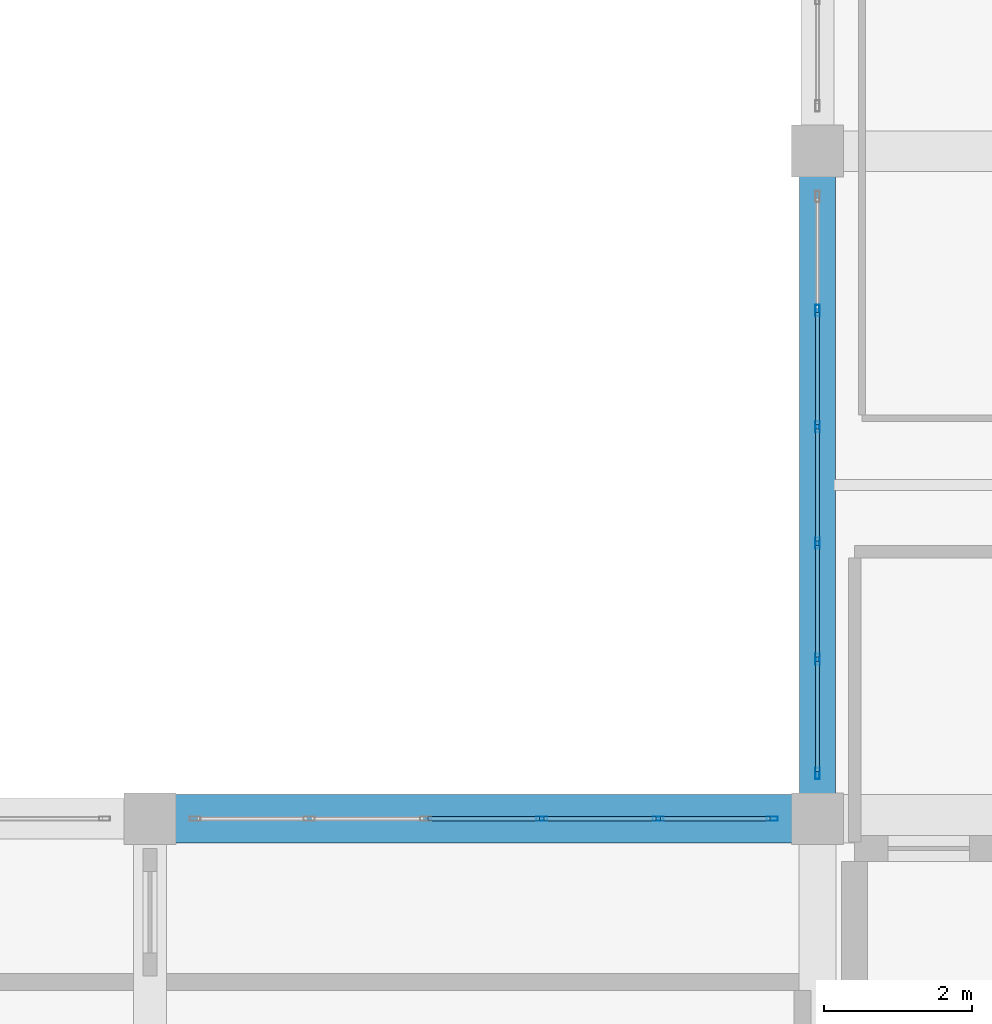
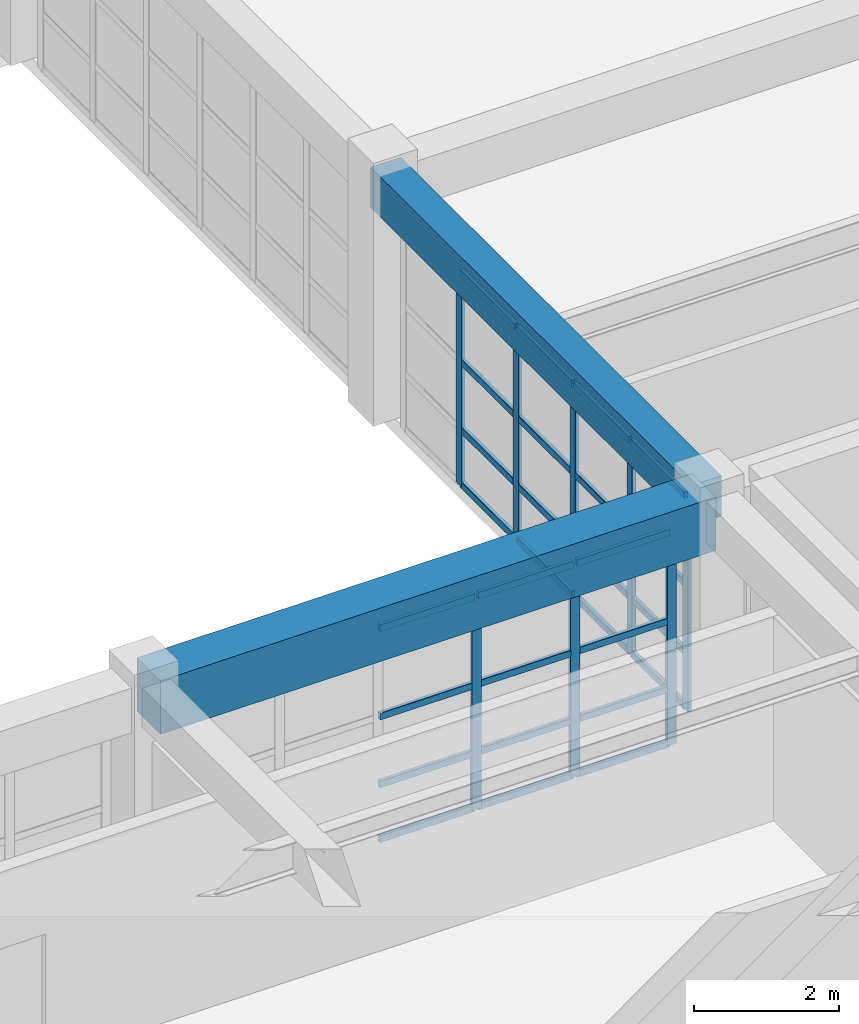
# One storey, part 32 of 133: 36 members, 2 beams, 2 elements without a shape of their own.
"""IFC4 building model written with IfcOpenShell, lengths in metres."""

from ifc_helpers import new_model, si_unit, direction, frame, origin, origin_2d, place, context, subcontext, project, spatial, rectangle, hollow_rectangle, extrude, material, material_profile, profile_set, type_object, element, aggregate, save


model = new_model("IFC4")

# Units and contexts
model_context = context("Model", 3, precision=1e-05, world=origin(), true_north=direction((0.0, 1.0)))
body_context = subcontext(model_context, "Body", "Model", "MODEL_VIEW")
ifc_project = project(units=[si_unit("LENGTHUNIT", "METRE"), si_unit("AREAUNIT", "SQUARE_METRE"), si_unit("VOLUMEUNIT", "CUBIC_METRE"), si_unit("PLANEANGLEUNIT", "RADIAN"), si_unit("MASSUNIT", "GRAM", prefix="KILO")], contexts=[model_context])

# Site, building, storey
site_placement = place(None, origin())
site = spatial("IfcSite", under=ifc_project, at=site_placement, CompositionType="ELEMENT")
building_placement = place(site_placement, origin())
building = spatial("IfcBuilding", under=site, at=building_placement, Name="Miravela Opera House", CompositionType="ELEMENT")
storey_placement = place(building_placement, frame((0.0, 0.0, 5.10009765625)))
storey = spatial("IfcBuildingStorey", under=building, at=storey_placement, Name="L01", CompositionType="ELEMENT", Elevation=5.10009765625)

# Curtain wall, members
ifc_material_1 = material(Name="Anodised architectural bronze aluminium 6063-T6", Category="aluminium")
curtain_wall_type = type_object("IfcCurtainWallType", Name="ARC-CW-06", PredefinedType="NOTDEFINED", material=ifc_material_1)
curtain_wall_1_placement = place(storey_placement, origin())
curtain_wall_1 = element("IfcCurtainWall", 1, at=curtain_wall_1_placement, inside=storey, type_object=curtain_wall_type, Name="Courtyard Arcade Curtain Wall CW-L01-131", PredefinedType="NOTDEFINED")
ifc_material_profile_1 = material_profile(ifc_material_1, hollow_rectangle(XDim=0.06005859375, YDim=0.14990234375, WallThickness=0.00390625, InnerFilletRadius=0.001953125, OuterFilletRadius=0.00390625, at=origin_2d()), Name="CWM-60X150")
ifc_profile_set_1 = profile_set([ifc_material_profile_1])
member_type_1 = type_object("IfcMemberType", Name="ARC-CWM-150", PredefinedType="MULLION", material=ifc_profile_set_1)
member_1_placement = place(storey_placement, frame((59.283935546875, 9.0, 0.0), z_axis=(0.0, 0.0, 1.0), x_axis=(0.0, 1.0, 0.0)))
member_1 = element("IfcMember", 2, at=member_1_placement, type_object=member_type_1, Name="CW-06 mullion 4", PredefinedType="MULLION", context=body_context, shape_type="SweptSolid", body=[
    extrude(hollow_rectangle(XDim=0.06005859375, YDim=0.14990234375, WallThickness=0.00390625, InnerFilletRadius=0.001953125, OuterFilletRadius=0.00390625, at=origin_2d()), origin(), (0.0, 0.0, 1.0), 3.60986328125),
])
member_2_placement = place(storey_placement, frame((60.85205078125, 9.0, 0.0), z_axis=(0.0, 0.0, 1.0), x_axis=(0.0, 1.0, 0.0)))
member_2 = element("IfcMember", 3, at=member_2_placement, type_object=member_type_1, Name="CW-06 mullion 5", PredefinedType="MULLION", context=body_context, shape_type="SweptSolid", body=[
    extrude(hollow_rectangle(XDim=0.06005859375, YDim=0.14990234375, WallThickness=0.00390625, InnerFilletRadius=0.001953125, OuterFilletRadius=0.00390625, at=origin_2d()), origin(), (0.0, 0.0, 1.0), 3.60986328125),
])
member_3_placement = place(storey_placement, frame((62.389892578125, 9.0, 0.0), z_axis=(0.0, 0.0, 1.0), x_axis=(0.0, 1.0, 0.0)))
member_3 = element("IfcMember", 4, at=member_3_placement, type_object=member_type_1, Name="CW-06 mullion 6", PredefinedType="MULLION", context=body_context, shape_type="SweptSolid", body=[
    extrude(hollow_rectangle(XDim=0.06005859375, YDim=0.14990234375, WallThickness=0.00390625, InnerFilletRadius=0.001953125, OuterFilletRadius=0.00390625, at=origin_2d()), origin(), (0.0, 0.0, 1.0), 3.60986328125),
])

curtain_wall_2_placement = place(storey_placement, origin())
curtain_wall_2 = element("IfcCurtainWall", 5, at=curtain_wall_2_placement, inside=storey, type_object=curtain_wall_type, Name="Courtyard Arcade Curtain Wall CW-L01-134", PredefinedType="NOTDEFINED")
member_4_placement = place(storey_placement, frame((63.0, 9.610107421875, 0.0), z_axis=(0.0, 0.0, 1.0), x_axis=(-1.0, 0.0, 0.0)))
member_4 = element("IfcMember", 6, at=member_4_placement, type_object=member_type_1, Name="CW-06 mullion 1", PredefinedType="MULLION", context=body_context, shape_type="SweptSolid", body=[
    extrude(hollow_rectangle(XDim=0.06005859375, YDim=0.14990234375, WallThickness=0.00390625, InnerFilletRadius=0.001953125, OuterFilletRadius=0.00390625, at=origin_2d()), origin(), (0.0, 0.0, 1.0), 3.60986328125),
])
member_5_placement = place(storey_placement, frame((63.0, 11.14794921875, 0.0), z_axis=(0.0, 0.0, 1.0), x_axis=(-1.0, 0.0, 0.0)))
member_5 = element("IfcMember", 7, at=member_5_placement, type_object=member_type_1, Name="CW-06 mullion 2", PredefinedType="MULLION", context=body_context, shape_type="SweptSolid", body=[
    extrude(hollow_rectangle(XDim=0.06005859375, YDim=0.14990234375, WallThickness=0.00390625, InnerFilletRadius=0.001953125, OuterFilletRadius=0.00390625, at=origin_2d()), origin(), (0.0, 0.0, 1.0), 3.60986328125),
])
member_6_placement = place(storey_placement, frame((63.0, 12.716064453125, 0.0), z_axis=(0.0, 0.0, 1.0), x_axis=(-1.0, 0.0, 0.0)))
member_6 = element("IfcMember", 8, at=member_6_placement, type_object=member_type_1, Name="CW-06 mullion 3", PredefinedType="MULLION", context=body_context, shape_type="SweptSolid", body=[
    extrude(hollow_rectangle(XDim=0.06005859375, YDim=0.14990234375, WallThickness=0.00390625, InnerFilletRadius=0.001953125, OuterFilletRadius=0.00390625, at=origin_2d()), origin(), (0.0, 0.0, 1.0), 3.60986328125),
])
member_7_placement = place(storey_placement, frame((63.0, 14.283935546875, 0.0), z_axis=(0.0, 0.0, 1.0), x_axis=(-1.0, 0.0, 0.0)))
member_7 = element("IfcMember", 9, at=member_7_placement, type_object=member_type_1, Name="CW-06 mullion 4", PredefinedType="MULLION", context=body_context, shape_type="SweptSolid", body=[
    extrude(hollow_rectangle(XDim=0.06005859375, YDim=0.14990234375, WallThickness=0.00390625, InnerFilletRadius=0.001953125, OuterFilletRadius=0.00390625, at=origin_2d()), origin(), (0.0, 0.0, 1.0), 3.60986328125),
])
member_8_placement = place(storey_placement, frame((63.0, 15.85205078125, 0.0), z_axis=(0.0, 0.0, 1.0), x_axis=(-1.0, 0.0, 0.0)))
member_8 = element("IfcMember", 10, at=member_8_placement, type_object=member_type_1, Name="CW-06 mullion 5", PredefinedType="MULLION", context=body_context, shape_type="SweptSolid", body=[
    extrude(hollow_rectangle(XDim=0.06005859375, YDim=0.14990234375, WallThickness=0.00390625, InnerFilletRadius=0.001953125, OuterFilletRadius=0.00390625, at=origin_2d()), origin(), (0.0, 0.0, 1.0), 3.60986328125),
])

# Member
ifc_material_profile_2 = material_profile(ifc_material_1, hollow_rectangle(XDim=0.06005859375, YDim=0.114990234375, WallThickness=0.00390625, InnerFilletRadius=0.001953125, OuterFilletRadius=0.00390625, at=origin_2d()), Name="CWT-60X115")
ifc_profile_set_2 = profile_set([ifc_material_profile_2])
member_type_2 = type_object("IfcMemberType", Name="ARC-CWT-115", PredefinedType="USERDEFINED", material=ifc_profile_set_2)
member_9_placement = place(storey_placement, frame((57.74609375, 9.0, 0.02978515625), z_axis=(1.0, 0.0, 0.0), x_axis=(0.0, 1.0, 0.0)))
member_9 = element("IfcMember", 11, at=member_9_placement, type_object=member_type_2, Name="CW-06 transom 3.1", ObjectType="TRANSOM", PredefinedType="USERDEFINED", context=body_context, shape_type="SweptSolid", body=[
    extrude(hollow_rectangle(XDim=0.06005859375, YDim=0.114990234375, WallThickness=0.00390625, InnerFilletRadius=0.001953125, OuterFilletRadius=0.00390625, at=origin_2d()), origin(), (0.0, 0.0, 1.0), 1.5078125),
])

member_10_placement = place(storey_placement, frame((57.74609375, 9.0, 0.949951171875), z_axis=(1.0, 0.0, 0.0), x_axis=(0.0, 1.0, 0.0)))
member_10 = element("IfcMember", 12, at=member_10_placement, type_object=member_type_2, Name="CW-06 transom 3.2", ObjectType="TRANSOM", PredefinedType="USERDEFINED", context=body_context, shape_type="SweptSolid", body=[
    extrude(hollow_rectangle(XDim=0.06005859375, YDim=0.114990234375, WallThickness=0.00390625, InnerFilletRadius=0.001953125, OuterFilletRadius=0.00390625, at=origin_2d()), origin(), (0.0, 0.0, 1.0), 1.5078125),
])

member_11_placement = place(storey_placement, frame((57.74609375, 9.0, 2.09375), z_axis=(1.0, 0.0, 0.0), x_axis=(0.0, 1.0, 0.0)))
member_11 = element("IfcMember", 13, at=member_11_placement, type_object=member_type_2, Name="CW-06 transom 3.3", ObjectType="TRANSOM", PredefinedType="USERDEFINED", context=body_context, shape_type="SweptSolid", body=[
    extrude(hollow_rectangle(XDim=0.06005859375, YDim=0.114990234375, WallThickness=0.00390625, InnerFilletRadius=0.001953125, OuterFilletRadius=0.00390625, at=origin_2d()), origin(), (0.0, 0.0, 1.0), 1.5078125),
])

member_12_placement = place(storey_placement, frame((57.74609375, 9.0, 3.579833984375), z_axis=(1.0, 0.0, 0.0), x_axis=(0.0, 1.0, 0.0)))
member_12 = element("IfcMember", 14, at=member_12_placement, type_object=member_type_2, Name="CW-06 transom 3.4", ObjectType="TRANSOM", PredefinedType="USERDEFINED", context=body_context, shape_type="SweptSolid", body=[
    extrude(hollow_rectangle(XDim=0.06005859375, YDim=0.114990234375, WallThickness=0.00390625, InnerFilletRadius=0.001953125, OuterFilletRadius=0.00390625, at=origin_2d()), origin(), (0.0, 0.0, 1.0), 1.5078125),
])

member_13_placement = place(storey_placement, frame((59.31396484375, 9.0, 0.02978515625), z_axis=(1.0, 0.0, 0.0), x_axis=(0.0, 1.0, 0.0)))
member_13 = element("IfcMember", 15, at=member_13_placement, type_object=member_type_2, Name="CW-06 transom 4.1", ObjectType="TRANSOM", PredefinedType="USERDEFINED", context=body_context, shape_type="SweptSolid", body=[
    extrude(hollow_rectangle(XDim=0.06005859375, YDim=0.114990234375, WallThickness=0.00390625, InnerFilletRadius=0.001953125, OuterFilletRadius=0.00390625, at=origin_2d()), origin(), (0.0, 0.0, 1.0), 1.508056640625),
])

member_14_placement = place(storey_placement, frame((59.31396484375, 9.0, 0.949951171875), z_axis=(1.0, 0.0, 0.0), x_axis=(0.0, 1.0, 0.0)))
member_14 = element("IfcMember", 16, at=member_14_placement, type_object=member_type_2, Name="CW-06 transom 4.2", ObjectType="TRANSOM", PredefinedType="USERDEFINED", context=body_context, shape_type="SweptSolid", body=[
    extrude(hollow_rectangle(XDim=0.06005859375, YDim=0.114990234375, WallThickness=0.00390625, InnerFilletRadius=0.001953125, OuterFilletRadius=0.00390625, at=origin_2d()), origin(), (0.0, 0.0, 1.0), 1.508056640625),
])

member_15_placement = place(storey_placement, frame((59.31396484375, 9.0, 2.09375), z_axis=(1.0, 0.0, 0.0), x_axis=(0.0, 1.0, 0.0)))
member_15 = element("IfcMember", 17, at=member_15_placement, type_object=member_type_2, Name="CW-06 transom 4.3", ObjectType="TRANSOM", PredefinedType="USERDEFINED", context=body_context, shape_type="SweptSolid", body=[
    extrude(hollow_rectangle(XDim=0.06005859375, YDim=0.114990234375, WallThickness=0.00390625, InnerFilletRadius=0.001953125, OuterFilletRadius=0.00390625, at=origin_2d()), origin(), (0.0, 0.0, 1.0), 1.508056640625),
])

member_16_placement = place(storey_placement, frame((59.31396484375, 9.0, 3.579833984375), z_axis=(1.0, 0.0, 0.0), x_axis=(0.0, 1.0, 0.0)))
member_16 = element("IfcMember", 18, at=member_16_placement, type_object=member_type_2, Name="CW-06 transom 4.4", ObjectType="TRANSOM", PredefinedType="USERDEFINED", context=body_context, shape_type="SweptSolid", body=[
    extrude(hollow_rectangle(XDim=0.06005859375, YDim=0.114990234375, WallThickness=0.00390625, InnerFilletRadius=0.001953125, OuterFilletRadius=0.00390625, at=origin_2d()), origin(), (0.0, 0.0, 1.0), 1.508056640625),
])

member_17_placement = place(storey_placement, frame((60.882080078125, 9.0, 0.02978515625), z_axis=(1.0, 0.0, 0.0), x_axis=(0.0, 1.0, 0.0)))
member_17 = element("IfcMember", 19, at=member_17_placement, type_object=member_type_2, Name="CW-06 transom 5.1", ObjectType="TRANSOM", PredefinedType="USERDEFINED", context=body_context, shape_type="SweptSolid", body=[
    extrude(hollow_rectangle(XDim=0.06005859375, YDim=0.114990234375, WallThickness=0.00390625, InnerFilletRadius=0.001953125, OuterFilletRadius=0.00390625, at=origin_2d()), origin(), (0.0, 0.0, 1.0), 1.47802734375),
])

member_18_placement = place(storey_placement, frame((60.882080078125, 9.0, 0.949951171875), z_axis=(1.0, 0.0, 0.0), x_axis=(0.0, 1.0, 0.0)))
member_18 = element("IfcMember", 20, at=member_18_placement, type_object=member_type_2, Name="CW-06 transom 5.2", ObjectType="TRANSOM", PredefinedType="USERDEFINED", context=body_context, shape_type="SweptSolid", body=[
    extrude(hollow_rectangle(XDim=0.06005859375, YDim=0.114990234375, WallThickness=0.00390625, InnerFilletRadius=0.001953125, OuterFilletRadius=0.00390625, at=origin_2d()), origin(), (0.0, 0.0, 1.0), 1.47802734375),
])

member_19_placement = place(storey_placement, frame((60.882080078125, 9.0, 2.09375), z_axis=(1.0, 0.0, 0.0), x_axis=(0.0, 1.0, 0.0)))
member_19 = element("IfcMember", 21, at=member_19_placement, type_object=member_type_2, Name="CW-06 transom 5.3", ObjectType="TRANSOM", PredefinedType="USERDEFINED", context=body_context, shape_type="SweptSolid", body=[
    extrude(hollow_rectangle(XDim=0.06005859375, YDim=0.114990234375, WallThickness=0.00390625, InnerFilletRadius=0.001953125, OuterFilletRadius=0.00390625, at=origin_2d()), origin(), (0.0, 0.0, 1.0), 1.47802734375),
])

member_20_placement = place(storey_placement, frame((60.882080078125, 9.0, 3.579833984375), z_axis=(1.0, 0.0, 0.0), x_axis=(0.0, 1.0, 0.0)))
member_20 = element("IfcMember", 22, at=member_20_placement, type_object=member_type_2, Name="CW-06 transom 5.4", ObjectType="TRANSOM", PredefinedType="USERDEFINED", context=body_context, shape_type="SweptSolid", body=[
    extrude(hollow_rectangle(XDim=0.06005859375, YDim=0.114990234375, WallThickness=0.00390625, InnerFilletRadius=0.001953125, OuterFilletRadius=0.00390625, at=origin_2d()), origin(), (0.0, 0.0, 1.0), 1.47802734375),
])

aggregate(curtain_wall_1, [member_1, member_2, member_3, member_9, member_10, member_11, member_12, member_13, member_14, member_15, member_16, member_17, member_18, member_19, member_20])

member_21_placement = place(storey_placement, frame((63.0, 9.639892578125, 0.02978515625), z_axis=(0.0, 1.0, 0.0), x_axis=(-1.0, 0.0, 0.0)))
member_21 = element("IfcMember", 23, at=member_21_placement, type_object=member_type_2, Name="CW-06 transom 1.1", ObjectType="TRANSOM", PredefinedType="USERDEFINED", context=body_context, shape_type="SweptSolid", body=[
    extrude(hollow_rectangle(XDim=0.06005859375, YDim=0.114990234375, WallThickness=0.00390625, InnerFilletRadius=0.001953125, OuterFilletRadius=0.00390625, at=origin_2d()), origin(), (0.0, 0.0, 1.0), 1.47802734375),
])

member_22_placement = place(storey_placement, frame((63.0, 9.639892578125, 0.949951171875), z_axis=(0.0, 1.0, 0.0), x_axis=(-1.0, 0.0, 0.0)))
member_22 = element("IfcMember", 24, at=member_22_placement, type_object=member_type_2, Name="CW-06 transom 1.2", ObjectType="TRANSOM", PredefinedType="USERDEFINED", context=body_context, shape_type="SweptSolid", body=[
    extrude(hollow_rectangle(XDim=0.06005859375, YDim=0.114990234375, WallThickness=0.00390625, InnerFilletRadius=0.001953125, OuterFilletRadius=0.00390625, at=origin_2d()), origin(), (0.0, 0.0, 1.0), 1.47802734375),
])

member_23_placement = place(storey_placement, frame((63.0, 9.639892578125, 2.09375), z_axis=(0.0, 1.0, 0.0), x_axis=(-1.0, 0.0, 0.0)))
member_23 = element("IfcMember", 25, at=member_23_placement, type_object=member_type_2, Name="CW-06 transom 1.3", ObjectType="TRANSOM", PredefinedType="USERDEFINED", context=body_context, shape_type="SweptSolid", body=[
    extrude(hollow_rectangle(XDim=0.06005859375, YDim=0.114990234375, WallThickness=0.00390625, InnerFilletRadius=0.001953125, OuterFilletRadius=0.00390625, at=origin_2d()), origin(), (0.0, 0.0, 1.0), 1.47802734375),
])

member_24_placement = place(storey_placement, frame((63.0, 9.639892578125, 3.579833984375), z_axis=(0.0, 1.0, 0.0), x_axis=(-1.0, 0.0, 0.0)))
member_24 = element("IfcMember", 26, at=member_24_placement, type_object=member_type_2, Name="CW-06 transom 1.4", ObjectType="TRANSOM", PredefinedType="USERDEFINED", context=body_context, shape_type="SweptSolid", body=[
    extrude(hollow_rectangle(XDim=0.06005859375, YDim=0.114990234375, WallThickness=0.00390625, InnerFilletRadius=0.001953125, OuterFilletRadius=0.00390625, at=origin_2d()), origin(), (0.0, 0.0, 1.0), 1.47802734375),
])

member_25_placement = place(storey_placement, frame((63.0, 11.177978515625, 0.02978515625), z_axis=(0.0, 1.0, 0.0), x_axis=(-1.0, 0.0, 0.0)))
member_25 = element("IfcMember", 27, at=member_25_placement, type_object=member_type_2, Name="CW-06 transom 2.1", ObjectType="TRANSOM", PredefinedType="USERDEFINED", context=body_context, shape_type="SweptSolid", body=[
    extrude(hollow_rectangle(XDim=0.06005859375, YDim=0.114990234375, WallThickness=0.00390625, InnerFilletRadius=0.001953125, OuterFilletRadius=0.00390625, at=origin_2d()), origin(), (0.0, 0.0, 1.0), 1.508056640625),
])

member_26_placement = place(storey_placement, frame((63.0, 11.177978515625, 0.949951171875), z_axis=(0.0, 1.0, 0.0), x_axis=(-1.0, 0.0, 0.0)))
member_26 = element("IfcMember", 28, at=member_26_placement, type_object=member_type_2, Name="CW-06 transom 2.2", ObjectType="TRANSOM", PredefinedType="USERDEFINED", context=body_context, shape_type="SweptSolid", body=[
    extrude(hollow_rectangle(XDim=0.06005859375, YDim=0.114990234375, WallThickness=0.00390625, InnerFilletRadius=0.001953125, OuterFilletRadius=0.00390625, at=origin_2d()), origin(), (0.0, 0.0, 1.0), 1.508056640625),
])

member_27_placement = place(storey_placement, frame((63.0, 11.177978515625, 2.09375), z_axis=(0.0, 1.0, 0.0), x_axis=(-1.0, 0.0, 0.0)))
member_27 = element("IfcMember", 29, at=member_27_placement, type_object=member_type_2, Name="CW-06 transom 2.3", ObjectType="TRANSOM", PredefinedType="USERDEFINED", context=body_context, shape_type="SweptSolid", body=[
    extrude(hollow_rectangle(XDim=0.06005859375, YDim=0.114990234375, WallThickness=0.00390625, InnerFilletRadius=0.001953125, OuterFilletRadius=0.00390625, at=origin_2d()), origin(), (0.0, 0.0, 1.0), 1.508056640625),
])

member_28_placement = place(storey_placement, frame((63.0, 11.177978515625, 3.579833984375), z_axis=(0.0, 1.0, 0.0), x_axis=(-1.0, 0.0, 0.0)))
member_28 = element("IfcMember", 30, at=member_28_placement, type_object=member_type_2, Name="CW-06 transom 2.4", ObjectType="TRANSOM", PredefinedType="USERDEFINED", context=body_context, shape_type="SweptSolid", body=[
    extrude(hollow_rectangle(XDim=0.06005859375, YDim=0.114990234375, WallThickness=0.00390625, InnerFilletRadius=0.001953125, OuterFilletRadius=0.00390625, at=origin_2d()), origin(), (0.0, 0.0, 1.0), 1.508056640625),
])

member_29_placement = place(storey_placement, frame((63.0, 12.74609375, 0.02978515625), z_axis=(0.0, 1.0, 0.0), x_axis=(-1.0, 0.0, 0.0)))
member_29 = element("IfcMember", 31, at=member_29_placement, type_object=member_type_2, Name="CW-06 transom 3.1", ObjectType="TRANSOM", PredefinedType="USERDEFINED", context=body_context, shape_type="SweptSolid", body=[
    extrude(hollow_rectangle(XDim=0.06005859375, YDim=0.114990234375, WallThickness=0.00390625, InnerFilletRadius=0.001953125, OuterFilletRadius=0.00390625, at=origin_2d()), origin(), (0.0, 0.0, 1.0), 1.5078125),
])

member_30_placement = place(storey_placement, frame((63.0, 12.74609375, 0.949951171875), z_axis=(0.0, 1.0, 0.0), x_axis=(-1.0, 0.0, 0.0)))
member_30 = element("IfcMember", 32, at=member_30_placement, type_object=member_type_2, Name="CW-06 transom 3.2", ObjectType="TRANSOM", PredefinedType="USERDEFINED", context=body_context, shape_type="SweptSolid", body=[
    extrude(hollow_rectangle(XDim=0.06005859375, YDim=0.114990234375, WallThickness=0.00390625, InnerFilletRadius=0.001953125, OuterFilletRadius=0.00390625, at=origin_2d()), origin(), (0.0, 0.0, 1.0), 1.5078125),
])

member_31_placement = place(storey_placement, frame((63.0, 12.74609375, 2.09375), z_axis=(0.0, 1.0, 0.0), x_axis=(-1.0, 0.0, 0.0)))
member_31 = element("IfcMember", 33, at=member_31_placement, type_object=member_type_2, Name="CW-06 transom 3.3", ObjectType="TRANSOM", PredefinedType="USERDEFINED", context=body_context, shape_type="SweptSolid", body=[
    extrude(hollow_rectangle(XDim=0.06005859375, YDim=0.114990234375, WallThickness=0.00390625, InnerFilletRadius=0.001953125, OuterFilletRadius=0.00390625, at=origin_2d()), origin(), (0.0, 0.0, 1.0), 1.5078125),
])

member_32_placement = place(storey_placement, frame((63.0, 12.74609375, 3.579833984375), z_axis=(0.0, 1.0, 0.0), x_axis=(-1.0, 0.0, 0.0)))
member_32 = element("IfcMember", 34, at=member_32_placement, type_object=member_type_2, Name="CW-06 transom 3.4", ObjectType="TRANSOM", PredefinedType="USERDEFINED", context=body_context, shape_type="SweptSolid", body=[
    extrude(hollow_rectangle(XDim=0.06005859375, YDim=0.114990234375, WallThickness=0.00390625, InnerFilletRadius=0.001953125, OuterFilletRadius=0.00390625, at=origin_2d()), origin(), (0.0, 0.0, 1.0), 1.5078125),
])

member_33_placement = place(storey_placement, frame((63.0, 14.31396484375, 0.02978515625), z_axis=(0.0, 1.0, 0.0), x_axis=(-1.0, 0.0, 0.0)))
member_33 = element("IfcMember", 35, at=member_33_placement, type_object=member_type_2, Name="CW-06 transom 4.1", ObjectType="TRANSOM", PredefinedType="USERDEFINED", context=body_context, shape_type="SweptSolid", body=[
    extrude(hollow_rectangle(XDim=0.06005859375, YDim=0.114990234375, WallThickness=0.00390625, InnerFilletRadius=0.001953125, OuterFilletRadius=0.00390625, at=origin_2d()), origin(), (0.0, 0.0, 1.0), 1.508056640625),
])

member_34_placement = place(storey_placement, frame((63.0, 14.31396484375, 0.949951171875), z_axis=(0.0, 1.0, 0.0), x_axis=(-1.0, 0.0, 0.0)))
member_34 = element("IfcMember", 36, at=member_34_placement, type_object=member_type_2, Name="CW-06 transom 4.2", ObjectType="TRANSOM", PredefinedType="USERDEFINED", context=body_context, shape_type="SweptSolid", body=[
    extrude(hollow_rectangle(XDim=0.06005859375, YDim=0.114990234375, WallThickness=0.00390625, InnerFilletRadius=0.001953125, OuterFilletRadius=0.00390625, at=origin_2d()), origin(), (0.0, 0.0, 1.0), 1.508056640625),
])

member_35_placement = place(storey_placement, frame((63.0, 14.31396484375, 2.09375), z_axis=(0.0, 1.0, 0.0), x_axis=(-1.0, 0.0, 0.0)))
member_35 = element("IfcMember", 37, at=member_35_placement, type_object=member_type_2, Name="CW-06 transom 4.3", ObjectType="TRANSOM", PredefinedType="USERDEFINED", context=body_context, shape_type="SweptSolid", body=[
    extrude(hollow_rectangle(XDim=0.06005859375, YDim=0.114990234375, WallThickness=0.00390625, InnerFilletRadius=0.001953125, OuterFilletRadius=0.00390625, at=origin_2d()), origin(), (0.0, 0.0, 1.0), 1.508056640625),
])

member_36_placement = place(storey_placement, frame((63.0, 14.31396484375, 3.579833984375), z_axis=(0.0, 1.0, 0.0), x_axis=(-1.0, 0.0, 0.0)))
member_36 = element("IfcMember", 38, at=member_36_placement, type_object=member_type_2, Name="CW-06 transom 4.4", ObjectType="TRANSOM", PredefinedType="USERDEFINED", context=body_context, shape_type="SweptSolid", body=[
    extrude(hollow_rectangle(XDim=0.06005859375, YDim=0.114990234375, WallThickness=0.00390625, InnerFilletRadius=0.001953125, OuterFilletRadius=0.00390625, at=origin_2d()), origin(), (0.0, 0.0, 1.0), 1.508056640625),
])

aggregate(curtain_wall_2, [member_4, member_5, member_6, member_7, member_8, member_21, member_22, member_23, member_24, member_25, member_26, member_27, member_28, member_29, member_30, member_31, member_32, member_33, member_34, member_35, member_36])

# Beams
ifc_material_2 = material(Name="Concrete C35/45", Category="concrete")
ifc_material_profile_3 = material_profile(ifc_material_2, rectangle(XDim=0.47998046875, YDim=0.679931640625, at=origin_2d()), Name="RC-BM-480X680")
ifc_profile_set_3 = profile_set([ifc_material_profile_3])
beam_type_1 = type_object("IfcBeamType", Name="STR-BM-RC480X680", PredefinedType="BEAM", material=ifc_profile_set_3)
beam_1_placement = place(storey_placement, frame((63.0, 9.080078125, 3.81982421875), z_axis=(0.0, 1.0, 0.0), x_axis=(-1.0, 0.0, 0.0)))
element("IfcBeam", 39, at=beam_1_placement, inside=storey, type_object=beam_type_1, Name="Floor Girder L01 8/B-C", PredefinedType="BEAM", context=body_context, shape_type="SweptSolid", body=[
    extrude(rectangle(XDim=0.47998046875, YDim=0.679931640625, at=origin_2d()), origin(), (0.0, 0.0, 1.0), 8.83984375),
])
ifc_material_3 = material(Name="Concrete C40/50", Category="concrete")
ifc_material_profile_4 = material_profile(ifc_material_3, rectangle(XDim=0.64990234375, YDim=0.89990234375, at=origin_2d()), Name="RC-BM-650X900")
ifc_profile_set_4 = profile_set([ifc_material_profile_4])
beam_type_2 = type_object("IfcBeamType", Name="STR-BM-RC650X900", PredefinedType="BEAM", material=ifc_profile_set_4)
beam_2_placement = place(storey_placement, frame((54.080078125, 9.0, 3.7099609375), z_axis=(1.0, 0.0, 0.0), x_axis=(0.0, 1.0, 0.0)))
element("IfcBeam", 40, at=beam_2_placement, inside=storey, type_object=beam_type_2, Name="Floor Girder L01 7-8/B", PredefinedType="BEAM", context=body_context, shape_type="SweptSolid", body=[
    extrude(rectangle(XDim=0.64990234375, YDim=0.89990234375, at=origin_2d()), origin(), (0.0, 0.0, 1.0), 8.83984375),
])

save(model, "model.ifc")
